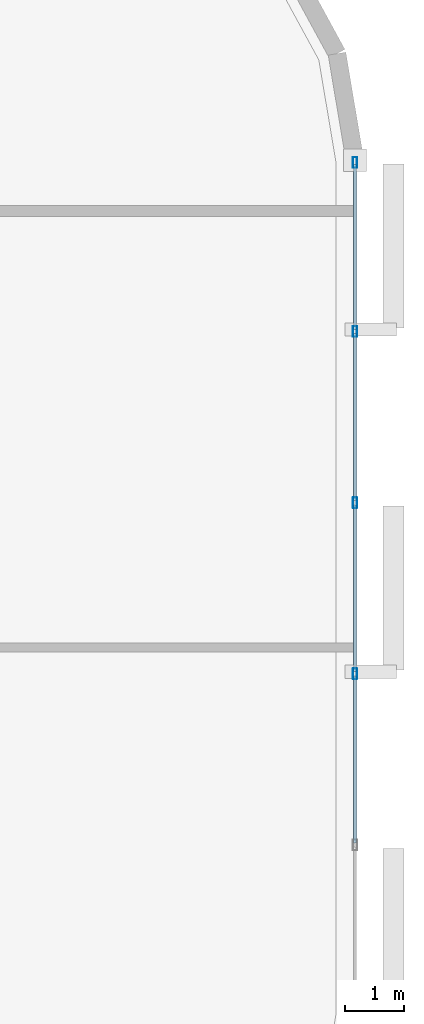
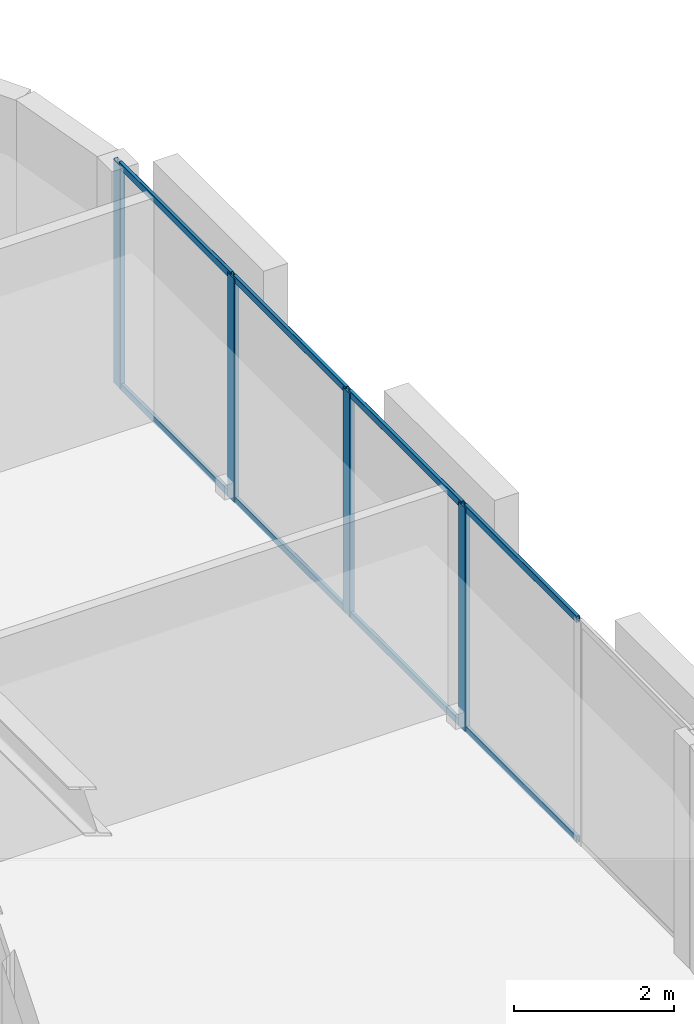
# One storey, part 6 of 15: 12 members, 1 element without a shape of its own.
"""IFC4 building model written with IfcOpenShell, lengths in metres."""

from ifc_helpers import new_model, si_unit, direction, frame, origin, origin_2d, place, context, subcontext, project, spatial, hollow_rectangle, extrude, material, layer, layer_set, material_profile, profile_set, type_object, element, aggregate, save


model = new_model("IFC4")

# Units and contexts
model_context = context("Model", 3, precision=1e-05, world=origin(), true_north=direction((0.0, 1.0)))
body_context = subcontext(model_context, "Body", "Model", "MODEL_VIEW")
ifc_project = project(units=[si_unit("LENGTHUNIT", "METRE"), si_unit("AREAUNIT", "SQUARE_METRE"), si_unit("VOLUMEUNIT", "CUBIC_METRE"), si_unit("PLANEANGLEUNIT", "RADIAN"), si_unit("MASSUNIT", "GRAM", prefix="KILO")], contexts=[model_context])

# Site, building, storey
site_placement = place(None, origin())
site = spatial("IfcSite", under=ifc_project, at=site_placement, CompositionType="ELEMENT")
building_placement = place(site_placement, origin())
building = spatial("IfcBuilding", under=site, at=building_placement, Name="An Khanh Terracotta Commons", CompositionType="ELEMENT")
storey_placement = place(building_placement, frame((0.0, 0.0, 169.0)))
storey = spatial("IfcBuildingStorey", under=building, at=storey_placement, Name="L44", CompositionType="ELEMENT", Elevation=169.0)

# Curtain wall, members
ifc_material = material(Name="Anodised Aluminium 6063-T6", Category="aluminium")
ifc_layer = layer(ifc_material, 0.2099609375, Name="Anodised Aluminium 6063-T6")
ifc_layer_set = layer_set([ifc_layer], Name="Anodised Aluminium 6063-T6")
curtain_wall_type = type_object("IfcCurtainWallType", Name="CW-SYS-03", PredefinedType="USERDEFINED", material=ifc_layer_set)
curtain_wall_placement = place(storey_placement, origin())
curtain_wall = element("IfcCurtainWall", 1, at=curtain_wall_placement, inside=storey, type_object=curtain_wall_type, Name="L44 CW-03 Unitised Curtain Wall CW-L44-12", ObjectType="UNITISED CURTAIN WALL", PredefinedType="USERDEFINED")
ifc_material_profile_1 = material_profile(ifc_material, hollow_rectangle(XDim=0.070068359375, YDim=0.179931640625, WallThickness=0.00390625, InnerFilletRadius=0.00390625, OuterFilletRadius=0.008056640625, at=origin_2d()), Name="RHS180x70x4")
ifc_profile_set_1 = profile_set([ifc_material_profile_1], Name="Anodised Aluminium 6063-T6")
member_type_1 = type_object("IfcMemberType", Name="CWM-RHS180x70x4", PredefinedType="MULLION", material=ifc_profile_set_1)
member_1_placement = place(storey_placement, frame((63.0, 22.56005859375, 0.0), z_axis=(0.0, 0.0, 1.0), x_axis=(-1.0, 0.0, 0.0)))
member_1 = element("IfcMember", 2, at=member_1_placement, type_object=member_type_1, Name="CW-03 mullion 3", PredefinedType="MULLION", context=body_context, shape_type="SweptSolid", body=[
    extrude(hollow_rectangle(XDim=0.070068359375, YDim=0.179931640625, WallThickness=0.00390625, InnerFilletRadius=0.00390625, OuterFilletRadius=0.008056640625, at=origin_2d()), origin(), (0.0, 0.0, 1.0), 3.39990234375),
])
member_2_placement = place(storey_placement, frame((63.0, 25.43994140625, 0.0), z_axis=(0.0, 0.0, 1.0), x_axis=(-1.0, 0.0, 0.0)))
member_2 = element("IfcMember", 3, at=member_2_placement, type_object=member_type_1, Name="CW-03 mullion 4", PredefinedType="MULLION", context=body_context, shape_type="SweptSolid", body=[
    extrude(hollow_rectangle(XDim=0.070068359375, YDim=0.179931640625, WallThickness=0.00390625, InnerFilletRadius=0.00390625, OuterFilletRadius=0.008056640625, at=origin_2d()), origin(), (0.0, 0.0, 1.0), 3.39990234375),
])
member_3_placement = place(storey_placement, frame((63.0, 28.320068359375, 0.0), z_axis=(0.0, 0.0, 1.0), x_axis=(-1.0, 0.0, 0.0)))
member_3 = element("IfcMember", 4, at=member_3_placement, type_object=member_type_1, Name="CW-03 mullion 5", PredefinedType="MULLION", context=body_context, shape_type="SweptSolid", body=[
    extrude(hollow_rectangle(XDim=0.070068359375, YDim=0.179931640625, WallThickness=0.00390625, InnerFilletRadius=0.00390625, OuterFilletRadius=0.008056640625, at=origin_2d()), origin(), (0.0, 0.0, 1.0), 3.39990234375),
])
member_4_placement = place(storey_placement, frame((63.0, 31.1650390625, 0.0), z_axis=(0.0, 0.0, 1.0), x_axis=(-1.0, 0.0, 0.0)))
member_4 = element("IfcMember", 5, at=member_4_placement, type_object=member_type_1, Name="CW-03 mullion 6", PredefinedType="MULLION", context=body_context, shape_type="SweptSolid", body=[
    extrude(hollow_rectangle(XDim=0.070068359375, YDim=0.179931640625, WallThickness=0.00390625, InnerFilletRadius=0.00390625, OuterFilletRadius=0.008056640625, at=origin_2d()), origin(), (0.0, 0.0, 1.0), 3.39990234375),
])
ifc_material_profile_2 = material_profile(ifc_material, hollow_rectangle(XDim=0.050048828125, YDim=0.10009765625, WallThickness=0.003173828125, InnerFilletRadius=0.003173828125, OuterFilletRadius=0.00634765625, at=origin_2d()), Name="RHS100x50x3.2")
ifc_profile_set_2 = profile_set([ifc_material_profile_2], Name="Anodised Aluminium 6063-T6")
member_type_2 = type_object("IfcMemberType", Name="CWT-RHS100x50x3.2", PredefinedType="USERDEFINED", material=ifc_profile_set_2)
member_5_placement = place(storey_placement, frame((63.0, 19.715087890625, 0.02490234375), z_axis=(0.0, 1.0, 0.0), x_axis=(-1.0, 0.0, 0.0)))
member_5 = element("IfcMember", 6, at=member_5_placement, type_object=member_type_2, Name="CW-03 transom 2.1", ObjectType="TRANSOM", PredefinedType="USERDEFINED", context=body_context, shape_type="SweptSolid", body=[
    extrude(hollow_rectangle(XDim=0.050048828125, YDim=0.10009765625, WallThickness=0.003173828125, InnerFilletRadius=0.003173828125, OuterFilletRadius=0.00634765625, at=origin_2d()), origin(), (0.0, 0.0, 1.0), 2.809814453125),
])
member_6_placement = place(storey_placement, frame((63.0, 19.715087890625, 3.375), z_axis=(0.0, 1.0, 0.0), x_axis=(-1.0, 0.0, 0.0)))
member_6 = element("IfcMember", 7, at=member_6_placement, type_object=member_type_2, Name="CW-03 transom 2.2", ObjectType="TRANSOM", PredefinedType="USERDEFINED", context=body_context, shape_type="SweptSolid", body=[
    extrude(hollow_rectangle(XDim=0.050048828125, YDim=0.10009765625, WallThickness=0.003173828125, InnerFilletRadius=0.003173828125, OuterFilletRadius=0.00634765625, at=origin_2d()), origin(), (0.0, 0.0, 1.0), 2.809814453125),
])
member_7_placement = place(storey_placement, frame((63.0, 22.594970703125, 0.02490234375), z_axis=(0.0, 1.0, 0.0), x_axis=(-1.0, 0.0, 0.0)))
member_7 = element("IfcMember", 8, at=member_7_placement, type_object=member_type_2, Name="CW-03 transom 3.1", ObjectType="TRANSOM", PredefinedType="USERDEFINED", context=body_context, shape_type="SweptSolid", body=[
    extrude(hollow_rectangle(XDim=0.050048828125, YDim=0.10009765625, WallThickness=0.003173828125, InnerFilletRadius=0.003173828125, OuterFilletRadius=0.00634765625, at=origin_2d()), origin(), (0.0, 0.0, 1.0), 2.81005859375),
])
member_8_placement = place(storey_placement, frame((63.0, 22.594970703125, 3.375), z_axis=(0.0, 1.0, 0.0), x_axis=(-1.0, 0.0, 0.0)))
member_8 = element("IfcMember", 9, at=member_8_placement, type_object=member_type_2, Name="CW-03 transom 3.2", ObjectType="TRANSOM", PredefinedType="USERDEFINED", context=body_context, shape_type="SweptSolid", body=[
    extrude(hollow_rectangle(XDim=0.050048828125, YDim=0.10009765625, WallThickness=0.003173828125, InnerFilletRadius=0.003173828125, OuterFilletRadius=0.00634765625, at=origin_2d()), origin(), (0.0, 0.0, 1.0), 2.81005859375),
])
member_9_placement = place(storey_placement, frame((63.0, 25.47509765625, 0.02490234375), z_axis=(0.0, 1.0, 0.0), x_axis=(-1.0, 0.0, 0.0)))
member_9 = element("IfcMember", 10, at=member_9_placement, type_object=member_type_2, Name="CW-03 transom 4.1", ObjectType="TRANSOM", PredefinedType="USERDEFINED", context=body_context, shape_type="SweptSolid", body=[
    extrude(hollow_rectangle(XDim=0.050048828125, YDim=0.10009765625, WallThickness=0.003173828125, InnerFilletRadius=0.003173828125, OuterFilletRadius=0.00634765625, at=origin_2d()), origin(), (0.0, 0.0, 1.0), 2.809814453125),
])
member_10_placement = place(storey_placement, frame((63.0, 25.47509765625, 3.375), z_axis=(0.0, 1.0, 0.0), x_axis=(-1.0, 0.0, 0.0)))
member_10 = element("IfcMember", 11, at=member_10_placement, type_object=member_type_2, Name="CW-03 transom 4.2", ObjectType="TRANSOM", PredefinedType="USERDEFINED", context=body_context, shape_type="SweptSolid", body=[
    extrude(hollow_rectangle(XDim=0.050048828125, YDim=0.10009765625, WallThickness=0.003173828125, InnerFilletRadius=0.003173828125, OuterFilletRadius=0.00634765625, at=origin_2d()), origin(), (0.0, 0.0, 1.0), 2.809814453125),
])
member_11_placement = place(storey_placement, frame((63.0, 28.35498046875, 0.02490234375), z_axis=(0.0, 1.0, 0.0), x_axis=(-1.0, 0.0, 0.0)))
member_11 = element("IfcMember", 12, at=member_11_placement, type_object=member_type_2, Name="CW-03 transom 5.1", ObjectType="TRANSOM", PredefinedType="USERDEFINED", context=body_context, shape_type="SweptSolid", body=[
    extrude(hollow_rectangle(XDim=0.050048828125, YDim=0.10009765625, WallThickness=0.003173828125, InnerFilletRadius=0.003173828125, OuterFilletRadius=0.00634765625, at=origin_2d()), origin(), (0.0, 0.0, 1.0), 2.77490234375),
])
member_12_placement = place(storey_placement, frame((63.0, 28.35498046875, 3.375), z_axis=(0.0, 1.0, 0.0), x_axis=(-1.0, 0.0, 0.0)))
member_12 = element("IfcMember", 13, at=member_12_placement, type_object=member_type_2, Name="CW-03 transom 5.2", ObjectType="TRANSOM", PredefinedType="USERDEFINED", context=body_context, shape_type="SweptSolid", body=[
    extrude(hollow_rectangle(XDim=0.050048828125, YDim=0.10009765625, WallThickness=0.003173828125, InnerFilletRadius=0.003173828125, OuterFilletRadius=0.00634765625, at=origin_2d()), origin(), (0.0, 0.0, 1.0), 2.77490234375),
])
aggregate(curtain_wall, [member_1, member_2, member_3, member_4, member_5, member_6, member_7, member_8, member_9, member_10, member_11, member_12])

save(model, "model.ifc")
